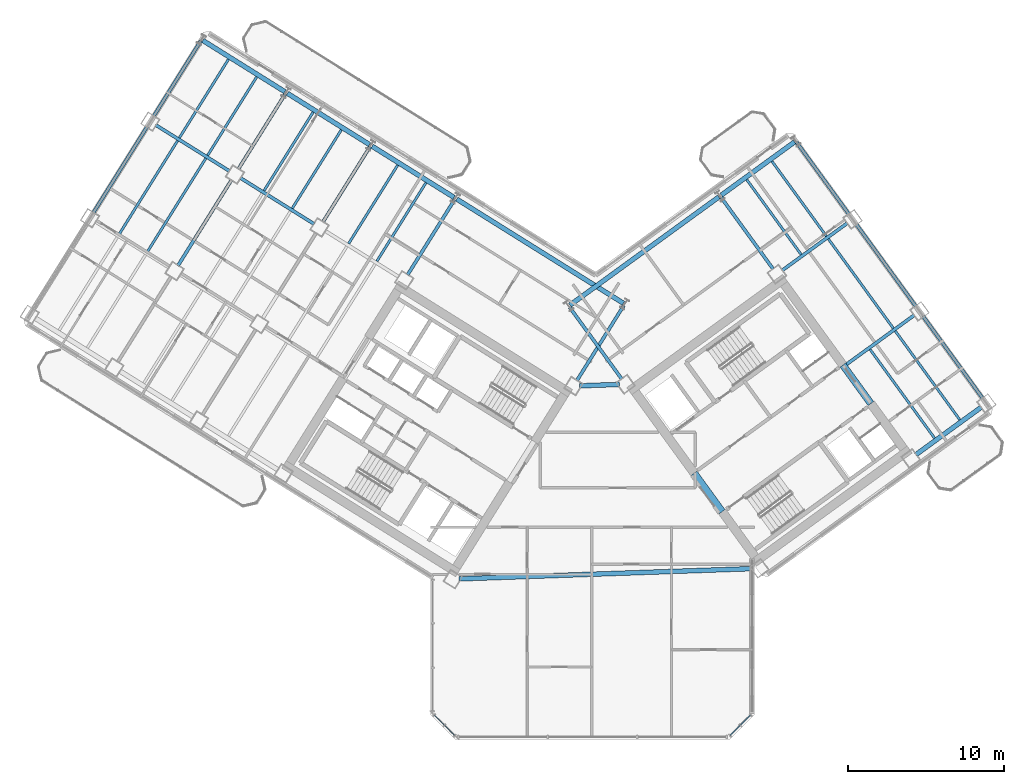
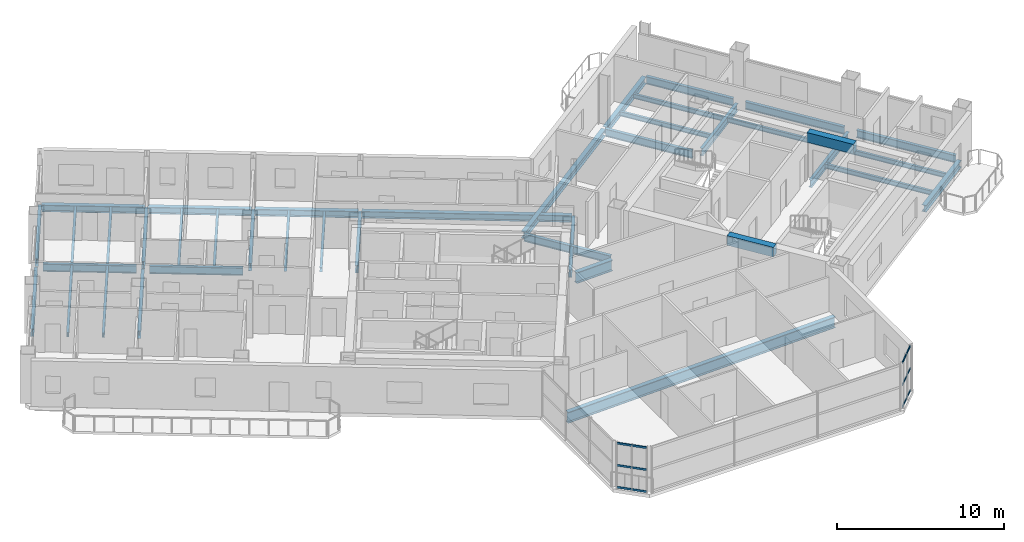
# One storey, part 7 of 21: 40 beams, 12 members, 2 elements without a shape of their own.
"""IFC4 building model written with IfcOpenShell, lengths in metres."""

from ifc_helpers import new_model, si_unit, direction, frame, origin, origin_2d, place, context, subcontext, project, spatial, rectangle, hollow_rectangle, i_section, extrude, source, transform, mapped, material, material_profile, profile_set, type_object, element, aggregate, save


model = new_model("IFC4")

# Units and contexts
model_context = context("Model", 3, precision=1e-05, world=origin(), true_north=direction((0.0, 1.0)))
body_context = subcontext(model_context, "Body", "Model", "MODEL_VIEW")
ifc_project = project(units=[si_unit("LENGTHUNIT", "METRE"), si_unit("AREAUNIT", "SQUARE_METRE"), si_unit("VOLUMEUNIT", "CUBIC_METRE"), si_unit("PLANEANGLEUNIT", "RADIAN"), si_unit("MASSUNIT", "GRAM", prefix="KILO")], contexts=[model_context])

# Site, building, storey
site_placement = place(None, origin())
site = spatial("IfcSite", under=ifc_project, at=site_placement, CompositionType="ELEMENT")
building_placement = place(site_placement, origin())
building = spatial("IfcBuilding", under=site, at=building_placement, Name="Tlacorven Tower", CompositionType="ELEMENT")
storey_placement = place(building_placement, frame((0.0, 0.0, 112.5)))
storey = spatial("IfcBuildingStorey", under=building, at=storey_placement, Name="L28", CompositionType="ELEMENT", Elevation=112.5)

# Beams
ifc_material_1 = material(Name="Concrete C60/75", Category="concrete")
ifc_material_profile_1 = material_profile(ifc_material_1, rectangle(XDim=0.449951171875, YDim=0.699951171875, at=origin_2d()), Name="RC 450X700")
ifc_profile_set_1 = profile_set([ifc_material_profile_1], Name="Concrete C60/75")
beam_type_1 = type_object("IfcBeamType", Name="BM-LNT-700", PredefinedType="LINTEL", material=ifc_profile_set_1)
shared_shape_1 = source(origin(), body_context, "Body", "SweptSolid", [
    extrude(rectangle(XDim=0.449951171875, YDim=0.699951171875, at=origin_2d()), origin(), (0.0, 0.0, 1.0), 3.050048828125),
])
for number, where, z_axis, x_axis, name in (
    (1, (50.318359375, 16.416015625, 3.0), (-0.587776590479, 0.80902328748, 0.0), (-0.80902328748, -0.587776590479, 0.0), "L28 E core coupling lintel beam E1"),
    (2, (59.856689453125, 23.345947265625, 3.0), (-0.587776590479, 0.80902328748, 0.0), (-0.80902328748, -0.587776590479, 0.0), "L28 E core coupling lintel beam E2"),
):
    element("IfcBeam", number, at=place(storey_placement, frame(where, z_axis=z_axis, x_axis=x_axis)), inside=storey, type_object=beam_type_1, Name=name, PredefinedType="LINTEL", context=body_context, shape_type="MappedRepresentation", body=[
        mapped(shared_shape_1, transform((0.0, 0.0, 0.0), scale=1.0)),
    ])
ifc_material_2 = material(Name="Steel S355J2", Category="steel")
ifc_material_profile_2 = material_profile(ifc_material_2, i_section(OverallWidth=0.300048828125, OverallDepth=0.489990234375, WebThickness=0.011962890625, FlangeThickness=0.02294921875, at=origin_2d()), Name="HEA 500")
ifc_profile_set_2 = profile_set([ifc_material_profile_2], Name="Steel S355J2")
beam_type_2 = type_object("IfcBeamType", Name="BM-SPN-500", PredefinedType="SPANDREL", material=ifc_profile_set_2)
shared_shape_2 = source(origin(), body_context, "Body", "SweptSolid", [
    extrude(i_section(OverallWidth=0.300048828125, OverallDepth=0.489990234375, WebThickness=0.011962890625, FlangeThickness=0.02294921875, at=origin_2d()), origin(), (0.0, 0.0, 1.0), 12.599853515625),
])
beam_1_placement = place(storey_placement, frame((43.983642578125, 29.779296875, -0.4951171875), z_axis=(-0.848045108756, 0.529924045043, 0.0), x_axis=(-0.529924045043, -0.848045108756, 0.0)))
element("IfcBeam", 3, at=beam_1_placement, inside=storey, type_object=beam_type_2, Name="L28 beam BM-L28-WL1-1", PredefinedType="SPANDREL", context=body_context, shape_type="MappedRepresentation", body=[
    mapped(shared_shape_2, transform((0.0, 0.0, 0.0), scale=1.0)),
])
shared_shape_3 = source(origin(), body_context, "Body", "SweptSolid", [
    extrude(i_section(OverallWidth=0.300048828125, OverallDepth=0.489990234375, WebThickness=0.011962890625, FlangeThickness=0.02294921875, at=origin_2d()), origin(), (0.0, 0.0, 1.0), 6.199951171875),
])
beam_2_placement = place(storey_placement, frame((33.128662109375, 36.562255859375, -0.4951171875), z_axis=(-0.848051394107, 0.529913986372, 0.0), x_axis=(-0.529913986372, -0.848051394107, 0.0)))
element("IfcBeam", 4, at=beam_2_placement, inside=storey, type_object=beam_type_2, Name="L28 beam BM-L28-WL1-3", PredefinedType="SPANDREL", context=body_context, shape_type="MappedRepresentation", body=[
    mapped(shared_shape_3, transform((0.0, 0.0, 0.0), scale=1.0)),
])
shared_shape_4 = source(origin(), body_context, "Body", "SweptSolid", [
    extrude(i_section(OverallWidth=0.300048828125, OverallDepth=0.489990234375, WebThickness=0.011962890625, FlangeThickness=0.02294921875, at=origin_2d()), origin(), (0.0, 0.0, 1.0), 11.800048828125),
])
beam_3_placement = place(storey_placement, frame((40.560302734375, 29.65966796875, -0.4951171875), z_axis=(0.80900977213, 0.587795192732, 0.0), x_axis=(-0.587795192732, 0.80900977213, 0.0)))
element("IfcBeam", 5, at=beam_3_placement, inside=storey, type_object=beam_type_2, Name="L28 beam BM-L28-EL4-1", PredefinedType="SPANDREL", context=body_context, shape_type="MappedRepresentation", body=[
    mapped(shared_shape_4, transform((0.0, 0.0, 0.0), scale=1.0)),
])
shared_shape_5 = source(origin(), body_context, "Body", "SweptSolid", [
    extrude(i_section(OverallWidth=0.300048828125, OverallDepth=0.489990234375, WebThickness=0.011962890625, FlangeThickness=0.02294921875, at=origin_2d()), origin(), (0.0, 0.0, 1.0), 5.800048828125),
])
beam_4_placement = place(storey_placement, frame((50.2685546875, 36.713134765625, -0.4951171875), z_axis=(0.809019944521, 0.587781191743, 0.0), x_axis=(-0.587781191743, 0.809019944521, 0.0)))
element("IfcBeam", 6, at=beam_4_placement, inside=storey, type_object=beam_type_2, Name="L28 beam BM-L28-EL4-3", PredefinedType="SPANDREL", context=body_context, shape_type="MappedRepresentation", body=[
    mapped(shared_shape_5, transform((0.0, 0.0, 0.0), scale=1.0)),
])
shared_shape_6 = source(origin(), body_context, "Body", "SweptSolid", [
    extrude(i_section(OverallWidth=0.300048828125, OverallDepth=0.489990234375, WebThickness=0.011962890625, FlangeThickness=0.02294921875, at=origin_2d()), origin(), (0.0, 0.0, 1.0), 6.2001953125),
])
for number, where, z_axis, x_axis, name in (
    (7, (27.701171875, 39.95361328125, -0.4951171875), (-0.84804475579, 0.5299246099, 0.0), (-0.5299246099, -0.84804475579, 0.0), "L28 beam BM-L28-WL1-4"),
    (8, (22.273681640625, 43.34521484375, -0.4951171875), (-0.848062451332, 0.529896290457, 0.0), (-0.529896290457, -0.848062451332, 0.0), "L28 beam BM-L28-WL1-5"),
):
    element("IfcBeam", number, at=place(storey_placement, frame(where, z_axis=z_axis, x_axis=x_axis)), inside=storey, type_object=beam_type_2, Name=name, PredefinedType="SPANDREL", context=body_context, shape_type="MappedRepresentation", body=[
        mapped(shared_shape_6, transform((0.0, 0.0, 0.0), scale=1.0)),
    ])
ifc_material_profile_3 = material_profile(ifc_material_2, i_section(OverallWidth=0.2099609375, OverallDepth=0.550048828125, WebThickness=0.010986328125, FlangeThickness=0.01708984375, at=origin_2d()), Name="IPE 550")
ifc_profile_set_3 = profile_set([ifc_material_profile_3], Name="Steel S355J2")
beam_type_3 = type_object("IfcBeamType", Name="BM-TWR-550", PredefinedType="BEAM", material=ifc_profile_set_3)
shared_shape_7 = source(origin(), body_context, "Body", "SweptSolid", [
    extrude(i_section(OverallWidth=0.2099609375, OverallDepth=0.550048828125, WebThickness=0.010986328125, FlangeThickness=0.01708984375, at=origin_2d()), origin(), (0.0, 0.0, 1.0), 5.599853515625),
])
for number, where, z_axis, x_axis, name in (
    (9, (24.1611328125, 34.854736328125, -0.52490234375), (-0.848047285686, 0.529920561254, 0.0), (-0.529920561254, -0.848047285686, 0.0), "L28 beam BM-L28-WL2-4"),
    (10, (18.733642578125, 38.246337890625, -0.52490234375), (-0.848047285686, 0.529920561254, 0.0), (-0.529920561254, -0.848047285686, 0.0), "L28 beam BM-L28-WL2-5"),
):
    element("IfcBeam", number, at=place(storey_placement, frame(where, z_axis=z_axis, x_axis=x_axis)), inside=storey, type_object=beam_type_3, Name=name, PredefinedType="BEAM", context=body_context, shape_type="MappedRepresentation", body=[
        mapped(shared_shape_7, transform((0.0, 0.0, 0.0), scale=1.0)),
    ])
shared_shape_8 = source(origin(), body_context, "Body", "SweptSolid", [
    extrude(i_section(OverallWidth=0.2099609375, OverallDepth=0.550048828125, WebThickness=0.010986328125, FlangeThickness=0.01708984375, at=origin_2d()), origin(), (0.0, 0.0, 1.0), 5.7001953125),
])
for number, where, z_axis, x_axis, name in (
    (11, (44.015380859375, 29.6416015625, -0.52490234375), (-0.529906537151, -0.848056048787, 0.0), (0.848056048787, -0.529906537151, 0.0), "L28 beam BM-L28-WT1-1"),
    (12, (33.160400390625, 36.424560546875, -0.52490234375), (-0.529906537151, -0.848056048787, 0.0), (0.848056048787, -0.529906537151, 0.0), "L28 beam BM-L28-WT3-1"),
    (13, (22.305419921875, 43.20751953125, -0.52490234375), (-0.529906537151, -0.848056048787, 0.0), (0.848056048787, -0.529906537151, 0.0), "L28 beam BM-L28-WT5-1"),
):
    element("IfcBeam", number, at=place(storey_placement, frame(where, z_axis=z_axis, x_axis=x_axis)), inside=storey, type_object=beam_type_3, Name=name, PredefinedType="BEAM", context=body_context, shape_type="MappedRepresentation", body=[
        mapped(shared_shape_8, transform((0.0, 0.0, 0.0), scale=1.0)),
    ])
shared_shape_9 = source(origin(), body_context, "Body", "SweptSolid", [
    extrude(i_section(OverallWidth=0.2099609375, OverallDepth=0.550048828125, WebThickness=0.010986328125, FlangeThickness=0.01708984375, at=origin_2d()), origin(), (0.0, 0.0, 1.0), 5.699951171875),
])
for number, where, z_axis, x_axis, name in (
    (14, (27.73291015625, 39.81591796875, -0.52490234375), (-0.529925785607, -0.848044021115, 0.0), (0.848044021115, -0.529925785607, 0.0), "L28 beam BM-L28-WT4-1"),
    (15, (16.8779296875, 46.598876953125, -0.52490234375), (-0.529925785607, -0.848044021115, 0.0), (0.848044021115, -0.529925785607, 0.0), "L28 beam BM-L28-WT6-1"),
    (16, (43.888671875, 24.90869140625, -0.52490234375), (-0.587787066966, 0.809015675935, 0.0), (-0.809015675935, -0.587787066966, 0.0), "L28 beam BM-L28-ET1-2"),
    (17, (53.596923828125, 31.962158203125, -0.52490234375), (-0.587787066966, 0.809015675935, 0.0), (-0.809015675935, -0.587787066966, 0.0), "L28 beam BM-L28-ET3-2"),
    (18, (58.450927734375, 35.48876953125, -0.52490234375), (-0.587787066966, 0.809015675935, 0.0), (-0.809015675935, -0.587787066966, 0.0), "L28 beam BM-L28-ET4-3"),
):
    element("IfcBeam", number, at=place(storey_placement, frame(where, z_axis=z_axis, x_axis=x_axis)), inside=storey, type_object=beam_type_3, Name=name, PredefinedType="BEAM", context=body_context, shape_type="MappedRepresentation", body=[
        mapped(shared_shape_9, transform((0.0, 0.0, 0.0), scale=1.0)),
    ])
shared_shape_10 = source(origin(), body_context, "Body", "SweptSolid", [
    extrude(i_section(OverallWidth=0.2099609375, OverallDepth=0.550048828125, WebThickness=0.010986328125, FlangeThickness=0.01708984375, at=origin_2d()), origin(), (0.0, 0.0, 1.0), 6.5),
])
for number, where, z_axis, x_axis, name in (
    (19, (13.433349609375, 41.086669921875, -0.52490234375), (-0.529894274829, -0.848063710757, 0.0), (0.848063710757, -0.529894274829, 0.0), "L28 beam BM-L28-WT6-2"),
    (20, (67.03271484375, 23.67724609375, -0.52490234375), (-0.587809847215, 0.808999124547, 0.0), (-0.808999124547, -0.587809847215, 0.0), "L28 beam BM-L28-ET4-1"),
    (21, (62.74169921875, 29.5830078125, -0.52490234375), (-0.587785264321, 0.809016985636, 0.0), (-0.809016985636, -0.587785264321, 0.0), "L28 beam BM-L28-ET4-2"),
):
    element("IfcBeam", number, at=place(storey_placement, frame(where, z_axis=z_axis, x_axis=x_axis)), inside=storey, type_object=beam_type_3, Name=name, PredefinedType="BEAM", context=body_context, shape_type="MappedRepresentation", body=[
        mapped(shared_shape_10, transform((0.0, 0.0, 0.0), scale=1.0)),
    ])
shared_shape_11 = source(origin(), body_context, "Body", "SweptSolid", [
    extrude(i_section(OverallWidth=0.2099609375, OverallDepth=0.550048828125, WebThickness=0.010986328125, FlangeThickness=0.01708984375, at=origin_2d()), origin(), (0.0, 0.0, 1.0), 6.499755859375),
])
beam_5_placement = place(storey_placement, frame((18.86083984375, 37.695068359375, -0.52490234375), z_axis=(-0.529911154058, -0.848053163902, 0.0), x_axis=(0.848053163902, -0.529911154058, 0.0)))
element("IfcBeam", 22, at=beam_5_placement, inside=storey, type_object=beam_type_3, Name="L28 beam BM-L28-WT5-2", PredefinedType="BEAM", context=body_context, shape_type="MappedRepresentation", body=[
    mapped(shared_shape_11, transform((0.0, 0.0, 0.0), scale=1.0)),
])
shared_shape_12 = source(origin(), body_context, "Body", "SweptSolid", [
    extrude(i_section(OverallWidth=0.300048828125, OverallDepth=0.489990234375, WebThickness=0.011962890625, FlangeThickness=0.02294921875, at=origin_2d()), origin(), (0.0, 0.0, 1.0), 5.199951171875),
])
beam_6_placement = place(storey_placement, frame((62.7373046875, 20.06201171875, -0.4951171875), z_axis=(0.809018206713, 0.587783583648, 0.0), x_axis=(-0.587783583648, 0.809018206713, 0.0)))
element("IfcBeam", 23, at=beam_6_placement, inside=storey, type_object=beam_type_2, Name="L28 beam BM-L28-EL1-3", PredefinedType="SPANDREL", context=body_context, shape_type="MappedRepresentation", body=[
    mapped(shared_shape_12, transform((0.0, 0.0, 0.0), scale=1.0)),
])
shared_shape_13 = source(origin(), body_context, "Body", "SweptSolid", [
    extrude(i_section(OverallWidth=0.2099609375, OverallDepth=0.550048828125, WebThickness=0.010986328125, FlangeThickness=0.01708984375, at=origin_2d()), origin(), (0.0, 0.0, 1.0), 5.56005859375),
])
beam_7_placement = place(storey_placement, frame((58.155029296875, 25.756103515625, -0.52490234375), z_axis=(0.809028396397, 0.587769558435, 0.0), x_axis=(-0.587769558435, 0.809028396397, 0.0)))
element("IfcBeam", 24, at=beam_7_placement, inside=storey, type_object=beam_type_3, Name="L28 beam BM-L28-EL2-3", PredefinedType="BEAM", context=body_context, shape_type="MappedRepresentation", body=[
    mapped(shared_shape_13, transform((0.0, 0.0, 0.0), scale=1.0)),
])
shared_shape_14 = source(origin(), body_context, "Body", "SweptSolid", [
    extrude(i_section(OverallWidth=0.2099609375, OverallDepth=0.550048828125, WebThickness=0.010986328125, FlangeThickness=0.01708984375, at=origin_2d()), origin(), (0.0, 0.0, 1.0), 5.2001953125),
])
beam_8_placement = place(storey_placement, frame((54.155517578125, 31.87353515625, -0.52490234375), z_axis=(0.80901210161, 0.587791986546, 0.0), x_axis=(-0.587791986546, 0.80901210161, 0.0)))
element("IfcBeam", 25, at=beam_8_placement, inside=storey, type_object=beam_type_3, Name="L28 beam BM-L28-EL3-3", PredefinedType="BEAM", context=body_context, shape_type="MappedRepresentation", body=[
    mapped(shared_shape_14, transform((0.0, 0.0, 0.0), scale=1.0)),
])
ifc_material_profile_4 = material_profile(ifc_material_2, i_section(OverallWidth=0.300048828125, OverallDepth=0.800048828125, WebThickness=0.017578125, FlangeThickness=0.032958984375, at=origin_2d()), Name="HEB 800")
ifc_profile_set_4 = profile_set([ifc_material_profile_4], Name="Steel S355J2")
beam_type_4 = type_object("IfcBeamType", Name="BM-POD-800", PredefinedType="BEAM", material=ifc_profile_set_4)
shared_shape_15 = source(origin(), body_context, "Body", "SweptSolid", [
    extrude(i_section(OverallWidth=0.300048828125, OverallDepth=0.800048828125, WebThickness=0.017578125, FlangeThickness=0.032958984375, at=origin_2d()), origin(), (0.0, 0.0, 1.0), 2.542724609375),
])
beam_9_placement = place(storey_placement, frame((41.1826171875, 24.482421875, -0.64990234375), z_axis=(0.999392467766, 0.034852480142, 0.0), x_axis=(-0.034852480142, 0.999392467766, 0.0)))
element("IfcBeam", 26, at=beam_9_placement, inside=storey, type_object=beam_type_4, Name="L28 Knuckle Link Girder 1", PredefinedType="BEAM", context=body_context, shape_type="MappedRepresentation", body=[
    mapped(shared_shape_15, transform((0.0, 0.0, 0.0), scale=1.0)),
])
shared_shape_16 = source(origin(), body_context, "Body", "SweptSolid", [
    extrude(i_section(OverallWidth=0.300048828125, OverallDepth=0.800048828125, WebThickness=0.017578125, FlangeThickness=0.032958984375, at=origin_2d()), origin(), (0.0, 0.0, 1.0), 18.871337890625),
])
beam_10_placement = place(storey_placement, frame((33.44580078125, 12.100830078125, -0.64990234375), z_axis=(0.999390659804, 0.034904284792, 0.0), x_axis=(-0.034904284792, 0.999390659804, 0.0)))
element("IfcBeam", 27, at=beam_10_placement, inside=storey, type_object=beam_type_4, Name="L28 Knuckle Link Girder 2", PredefinedType="BEAM", context=body_context, shape_type="MappedRepresentation", body=[
    mapped(shared_shape_16, transform((0.0, 0.0, 0.0), scale=1.0)),
])
ifc_material_profile_5 = material_profile(ifc_material_2, i_section(OverallWidth=0.159912109375, OverallDepth=0.330078125, WebThickness=0.007568359375, FlangeThickness=0.011474609375, at=origin_2d()), Name="IPE 330")
ifc_profile_set_5 = profile_set([ifc_material_profile_5], Name="Steel S355J2")
beam_type_5 = type_object("IfcBeamType", Name="BM-JST-330", PredefinedType="JOIST", material=ifc_profile_set_5)
shared_shape_17 = source(origin(), body_context, "Body", "SweptSolid", [
    extrude(i_section(OverallWidth=0.159912109375, OverallDepth=0.330078125, WebThickness=0.007568359375, FlangeThickness=0.011474609375, at=origin_2d()), origin(), (0.0, 0.0, 1.0), 5.93505859375),
])
for number, where, z_axis, x_axis, name in (
    (28, (31.322265625, 37.50830078125, -0.4150390625), (-0.529939778535, -0.848035277053, 0.0), (0.848035277053, -0.529939778535, 0.0), "L28 beam BM-L28-WJ3-1-1"),
    (29, (29.512939453125, 38.638916015625, -0.4150390625), (-0.529910194899, -0.848053763238, 0.0), (0.848053763238, -0.529910194899, 0.0), "L28 beam BM-L28-WJ3-1-2"),
    (30, (24.08544921875, 42.0302734375, -0.4150390625), (-0.529910194899, -0.848053763238, 0.0), (0.848053763238, -0.529910194899, 0.0), "L28 beam BM-L28-WJ4-1-2"),
    (31, (20.467041015625, 44.291259765625, -0.4150390625), (-0.529910194899, -0.848053763238, 0.0), (0.848053763238, -0.529910194899, 0.0), "L28 beam BM-L28-WJ5-1-1"),
    (32, (18.657958984375, 45.421875, -0.4150390625), (-0.529910194899, -0.848053763238, 0.0), (0.848053763238, -0.529910194899, 0.0), "L28 beam BM-L28-WJ5-1-2"),
    (33, (55.38525390625, 32.903076171875, -0.4150390625), (-0.58778762431, 0.809015270998, 0.0), (-0.809015270998, -0.58778762431, 0.0), "L28 beam BM-L28-EJ3-3-1"),
    (34, (57.00341796875, 34.07861328125, -0.4150390625), (-0.58778762431, 0.809015270998, 0.0), (-0.809015270998, -0.58778762431, 0.0), "L28 beam BM-L28-EJ3-3-2"),
):
    element("IfcBeam", number, at=place(storey_placement, frame(where, z_axis=z_axis, x_axis=x_axis)), inside=storey, type_object=beam_type_5, Name=name, PredefinedType="JOIST", context=body_context, shape_type="MappedRepresentation", body=[
        mapped(shared_shape_17, transform((0.0, 0.0, 0.0), scale=1.0)),
    ])
shared_shape_18 = source(origin(), body_context, "Body", "SweptSolid", [
    extrude(i_section(OverallWidth=0.159912109375, OverallDepth=0.330078125, WebThickness=0.007568359375, FlangeThickness=0.011474609375, at=origin_2d()), origin(), (0.0, 0.0, 1.0), 7.080078125),
])
for number, where, z_axis, x_axis, name in (
    (35, (17.20556640625, 39.071533203125, -0.4150390625), (-0.529933847046, -0.848038983629, 0.0), (0.848038983629, -0.529933847046, 0.0), "L28 beam BM-L28-WJ5-2-1"),
    (36, (15.396240234375, 40.2021484375, -0.4150390625), (-0.529893550998, -0.848064163027, 0.0), (0.848064163027, -0.529893550998, 0.0), "L28 beam BM-L28-WJ5-2-2"),
    (37, (61.294189453125, 28.1728515625, -0.4150390625), (-0.587798472288, 0.809007389321, 0.0), (-0.809007389321, -0.587798472288, 0.0), "L28 beam BM-L28-EJ3-2-2"),
):
    element("IfcBeam", number, at=place(storey_placement, frame(where, z_axis=z_axis, x_axis=x_axis)), inside=storey, type_object=beam_type_5, Name=name, PredefinedType="JOIST", context=body_context, shape_type="MappedRepresentation", body=[
        mapped(shared_shape_18, transform((0.0, 0.0, 0.0), scale=1.0)),
    ])
shared_shape_19 = source(origin(), body_context, "Body", "SweptSolid", [
    extrude(i_section(OverallWidth=0.159912109375, OverallDepth=0.330078125, WebThickness=0.007568359375, FlangeThickness=0.011474609375, at=origin_2d()), origin(), (0.0, 0.0, 1.0), 7.03515625),
])
beam_11_placement = place(storey_placement, frame((63.9404296875, 21.127685546875, -0.4150390625), z_axis=(-0.58776512903, 0.809031614399, 0.0), x_axis=(-0.809031614399, -0.58776512903, 0.0)))
element("IfcBeam", 38, at=beam_11_placement, inside=storey, type_object=beam_type_5, Name="L28 beam BM-L28-EJ3-1-1", PredefinedType="JOIST", context=body_context, shape_type="MappedRepresentation", body=[
    mapped(shared_shape_19, transform((0.0, 0.0, 0.0), scale=1.0)),
])
shared_shape_20 = source(origin(), body_context, "Body", "SweptSolid", [
    extrude(i_section(OverallWidth=0.159912109375, OverallDepth=0.330078125, WebThickness=0.007568359375, FlangeThickness=0.011474609375, at=origin_2d()), origin(), (0.0, 0.0, 1.0), 5.934814453125),
])
beam_12_placement = place(storey_placement, frame((25.894775390625, 40.899658203125, -0.4150390625), z_axis=(-0.529958265352, -0.848023724306, 0.0), x_axis=(0.848023724306, -0.529958265352, 0.0)))
element("IfcBeam", 39, at=beam_12_placement, inside=storey, type_object=beam_type_5, Name="L28 beam BM-L28-WJ4-1-1", PredefinedType="JOIST", context=body_context, shape_type="MappedRepresentation", body=[
    mapped(shared_shape_20, transform((0.0, 0.0, 0.0), scale=1.0)),
])
shared_shape_21 = source(origin(), body_context, "Body", "SweptSolid", [
    extrude(i_section(OverallWidth=0.159912109375, OverallDepth=0.330078125, WebThickness=0.007568359375, FlangeThickness=0.011474609375, at=origin_2d()), origin(), (0.0, 0.0, 1.0), 7.034912109375),
])
beam_13_placement = place(storey_placement, frame((65.55859375, 22.303466796875, -0.4150390625), z_axis=(-0.587781631373, 0.809019625115, 0.0), x_axis=(-0.809019625115, -0.587781631373, 0.0)))
element("IfcBeam", 40, at=beam_13_placement, inside=storey, type_object=beam_type_5, Name="L28 beam BM-L28-EJ3-1-2", PredefinedType="JOIST", context=body_context, shape_type="MappedRepresentation", body=[
    mapped(shared_shape_21, transform((0.0, 0.0, 0.0), scale=1.0)),
])

# Curtain wall, members
ifc_material_3 = material(Name="Dark solar low-E double glazing in aluminium frame", Category="aluminium")
curtain_wall_type = type_object("IfcCurtainWallType", Name="CW-TWR-MID", PredefinedType="USERDEFINED", material=ifc_material_3)
curtain_wall_1_placement = place(storey_placement, origin())
curtain_wall_1 = element("IfcCurtainWall", 41, at=curtain_wall_1_placement, inside=storey, type_object=curtain_wall_type, Name="L28 CW-TWR-MID Curtain Wall 139", ObjectType="UNITISED CURTAIN WALL", PredefinedType="USERDEFINED")
ifc_material_4 = material(Name="Aluminium 6063-T6 anodised", Category="aluminium")
ifc_material_profile_6 = material_profile(ifc_material_4, hollow_rectangle(XDim=0.06005859375, YDim=0.139892578125, WallThickness=0.00390625, at=origin_2d()), Name="ALU TRANSOM 60X140")
ifc_profile_set_6 = profile_set([ifc_material_profile_6], Name="Aluminium 6063-T6 anodised")
member_type = type_object("IfcMemberType", Name="CWT-02", PredefinedType="USERDEFINED", material=ifc_profile_set_6)
shared_shape_22 = source(origin(), body_context, "Body", "SweptSolid", [
    extrude(hollow_rectangle(XDim=0.06005859375, YDim=0.139892578125, WallThickness=0.00390625, at=origin_2d()), origin(), (0.0, 0.0, 1.0), 0.8916015625),
])
member_1_placement = place(storey_placement, frame((52.1318359375, 3.358154296875, 0.070068359375), z_axis=(-0.706969864397, -0.70724367147, 0.0), x_axis=(0.70724367147, -0.706969864397, 0.0)))
member_1 = element("IfcMember", 42, at=member_1_placement, type_object=member_type, Name="CW-L28-139 Transom 1", ObjectType="TRANSOM", PredefinedType="USERDEFINED", context=body_context, shape_type="MappedRepresentation", body=[
    mapped(shared_shape_22, transform((0.0, 0.0, 0.0), scale=1.0)),
])
member_2_placement = place(storey_placement, frame((52.1318359375, 3.358154296875, 1.675048828125), z_axis=(-0.706969864397, -0.70724367147, 0.0), x_axis=(0.70724367147, -0.706969864397, 0.0)))
member_2 = element("IfcMember", 43, at=member_2_placement, type_object=member_type, Name="CW-L28-139 Transom 2", ObjectType="TRANSOM", PredefinedType="USERDEFINED", context=body_context, shape_type="MappedRepresentation", body=[
    mapped(shared_shape_22, transform((0.0, 0.0, 0.0), scale=1.0)),
])
member_3_placement = place(storey_placement, frame((52.1318359375, 3.358154296875, 3.280029296875), z_axis=(-0.706969864397, -0.70724367147, 0.0), x_axis=(0.70724367147, -0.706969864397, 0.0)))
member_3 = element("IfcMember", 44, at=member_3_placement, type_object=member_type, Name="CW-L28-139 Transom 3", ObjectType="TRANSOM", PredefinedType="USERDEFINED", context=body_context, shape_type="MappedRepresentation", body=[
    mapped(shared_shape_22, transform((0.0, 0.0, 0.0), scale=1.0)),
])

curtain_wall_2_placement = place(storey_placement, origin())
curtain_wall_2 = element("IfcCurtainWall", 45, at=curtain_wall_2_placement, inside=storey, type_object=curtain_wall_type, Name="L28 CW-TWR-MID Curtain Wall 141", ObjectType="UNITISED CURTAIN WALL", PredefinedType="USERDEFINED")
member_4_placement = place(storey_placement, frame((32.49853515625, 2.7275390625, 0.070068359375), z_axis=(-0.706969864397, 0.70724367147, 0.0), x_axis=(-0.70724367147, -0.706969864397, 0.0)))
member_4 = element("IfcMember", 46, at=member_4_placement, type_object=member_type, Name="CW-L28-141 Transom 4", ObjectType="TRANSOM", PredefinedType="USERDEFINED", context=body_context, shape_type="MappedRepresentation", body=[
    mapped(shared_shape_22, transform((0.0, 0.0, 0.0), scale=1.0)),
])
member_5_placement = place(storey_placement, frame((32.49853515625, 2.7275390625, 1.675048828125), z_axis=(-0.706969864397, 0.70724367147, 0.0), x_axis=(-0.70724367147, -0.706969864397, 0.0)))
member_5 = element("IfcMember", 47, at=member_5_placement, type_object=member_type, Name="CW-L28-141 Transom 5", ObjectType="TRANSOM", PredefinedType="USERDEFINED", context=body_context, shape_type="MappedRepresentation", body=[
    mapped(shared_shape_22, transform((0.0, 0.0, 0.0), scale=1.0)),
])
member_6_placement = place(storey_placement, frame((32.49853515625, 2.7275390625, 3.280029296875), z_axis=(-0.706969864397, 0.70724367147, 0.0), x_axis=(-0.70724367147, -0.706969864397, 0.0)))
member_6 = element("IfcMember", 48, at=member_6_placement, type_object=member_type, Name="CW-L28-141 Transom 6", ObjectType="TRANSOM", PredefinedType="USERDEFINED", context=body_context, shape_type="MappedRepresentation", body=[
    mapped(shared_shape_22, transform((0.0, 0.0, 0.0), scale=1.0)),
])

# Member
shared_shape_23 = source(origin(), body_context, "Body", "SweptSolid", [
    extrude(hollow_rectangle(XDim=0.06005859375, YDim=0.139892578125, WallThickness=0.00390625, at=origin_2d()), origin(), (0.0, 0.0, 1.0), 0.891845703125),
])
member_7_placement = place(storey_placement, frame((51.472412109375, 2.69873046875, 0.070068359375), z_axis=(-0.707106781187, -0.707106781187, 0.0), x_axis=(0.707106781187, -0.707106781187, 0.0)))
member_7 = element("IfcMember", 49, at=member_7_placement, type_object=member_type, Name="CW-L28-139 Transom 4", ObjectType="TRANSOM", PredefinedType="USERDEFINED", context=body_context, shape_type="MappedRepresentation", body=[
    mapped(shared_shape_23, transform((0.0, 0.0, 0.0), scale=1.0)),
])

member_8_placement = place(storey_placement, frame((51.472412109375, 2.69873046875, 1.675048828125), z_axis=(-0.707106781187, -0.707106781187, 0.0), x_axis=(0.707106781187, -0.707106781187, 0.0)))
member_8 = element("IfcMember", 50, at=member_8_placement, type_object=member_type, Name="CW-L28-139 Transom 5", ObjectType="TRANSOM", PredefinedType="USERDEFINED", context=body_context, shape_type="MappedRepresentation", body=[
    mapped(shared_shape_23, transform((0.0, 0.0, 0.0), scale=1.0)),
])

member_9_placement = place(storey_placement, frame((51.472412109375, 2.69873046875, 3.280029296875), z_axis=(-0.707106781187, -0.707106781187, 0.0), x_axis=(0.707106781187, -0.707106781187, 0.0)))
member_9 = element("IfcMember", 51, at=member_9_placement, type_object=member_type, Name="CW-L28-139 Transom 6", ObjectType="TRANSOM", PredefinedType="USERDEFINED", context=body_context, shape_type="MappedRepresentation", body=[
    mapped(shared_shape_23, transform((0.0, 0.0, 0.0), scale=1.0)),
])

aggregate(curtain_wall_1, [member_1, member_2, member_3, member_7, member_8, member_9])

member_10_placement = place(storey_placement, frame((33.158203125, 2.068115234375, 0.070068359375), z_axis=(-0.707106781187, 0.707106781187, 0.0), x_axis=(-0.707106781187, -0.707106781187, 0.0)))
member_10 = element("IfcMember", 52, at=member_10_placement, type_object=member_type, Name="CW-L28-141 Transom 1", ObjectType="TRANSOM", PredefinedType="USERDEFINED", context=body_context, shape_type="MappedRepresentation", body=[
    mapped(shared_shape_23, transform((0.0, 0.0, 0.0), scale=1.0)),
])

member_11_placement = place(storey_placement, frame((33.158203125, 2.068115234375, 1.675048828125), z_axis=(-0.707106781187, 0.707106781187, 0.0), x_axis=(-0.707106781187, -0.707106781187, 0.0)))
member_11 = element("IfcMember", 53, at=member_11_placement, type_object=member_type, Name="CW-L28-141 Transom 2", ObjectType="TRANSOM", PredefinedType="USERDEFINED", context=body_context, shape_type="MappedRepresentation", body=[
    mapped(shared_shape_23, transform((0.0, 0.0, 0.0), scale=1.0)),
])

member_12_placement = place(storey_placement, frame((33.158203125, 2.068115234375, 3.280029296875), z_axis=(-0.707106781187, 0.707106781187, 0.0), x_axis=(-0.707106781187, -0.707106781187, 0.0)))
member_12 = element("IfcMember", 54, at=member_12_placement, type_object=member_type, Name="CW-L28-141 Transom 3", ObjectType="TRANSOM", PredefinedType="USERDEFINED", context=body_context, shape_type="MappedRepresentation", body=[
    mapped(shared_shape_23, transform((0.0, 0.0, 0.0), scale=1.0)),
])

aggregate(curtain_wall_2, [member_10, member_11, member_12, member_4, member_5, member_6])

save(model, "model.ifc")
